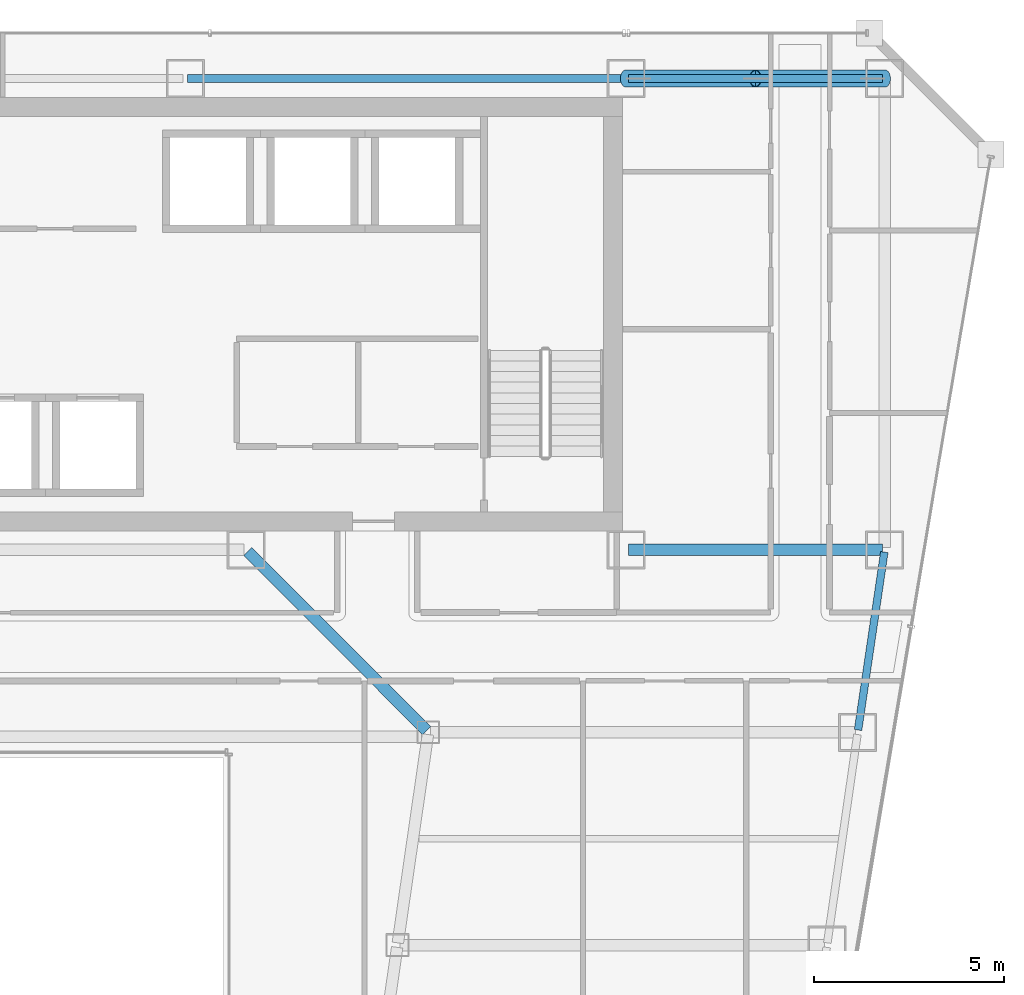
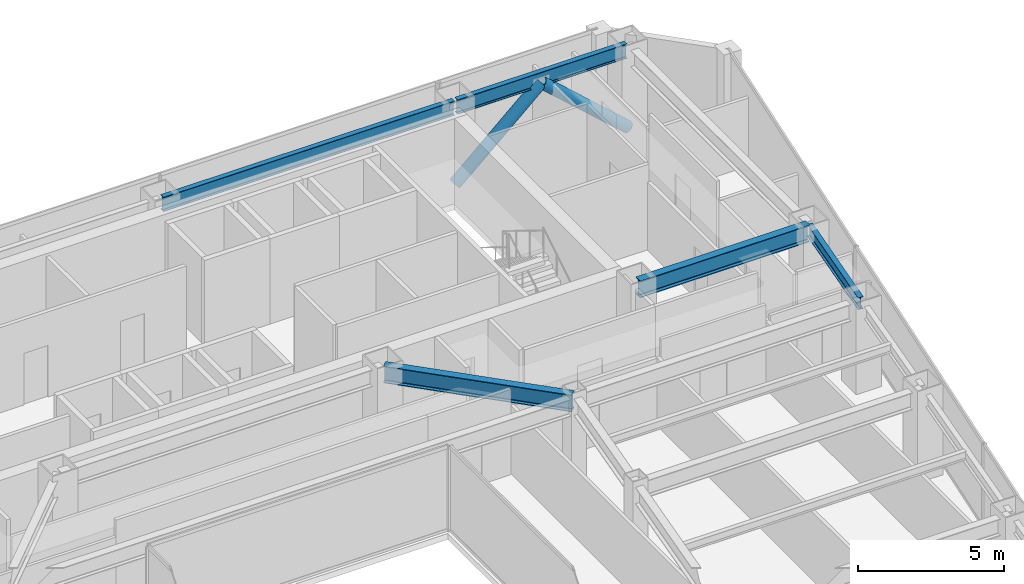
# One storey, part 18 of 31: 5 beams, 2 members.
"""IFC4 building model written with IfcOpenShell, lengths in metres."""

from ifc_helpers import new_model, si_unit, direction, frame, origin, origin_2d, place, context, subcontext, project, spatial, hollow_circle, i_section, extrude, material, material_profile, profile_set, type_object, element, save


model = new_model("IFC4")

# Units and contexts
model_context = context("Model", 3, precision=1e-05, world=origin(), true_north=direction((0.0, 1.0)))
body_context = subcontext(model_context, "Body", "Model", "MODEL_VIEW")
ifc_project = project(units=[si_unit("LENGTHUNIT", "METRE"), si_unit("AREAUNIT", "SQUARE_METRE"), si_unit("VOLUMEUNIT", "CUBIC_METRE"), si_unit("PLANEANGLEUNIT", "RADIAN"), si_unit("MASSUNIT", "GRAM", prefix="KILO")], contexts=[model_context])

# Site, building, storey
site_placement = place(None, origin())
site = spatial("IfcSite", under=ifc_project, at=site_placement, CompositionType="ELEMENT")
building_placement = place(site_placement, origin())
building = spatial("IfcBuilding", under=site, at=building_placement, Name="Saevonmaru Cultural Tower", CompositionType="ELEMENT")
storey_placement = place(building_placement, frame((0.0, 0.0, 167.60009765625)))
storey = spatial("IfcBuildingStorey", under=building, at=storey_placement, Name="L37", CompositionType="ELEMENT", Elevation=167.60009765625)

# Beams
ifc_material_1 = material(Name="Steel SM355", Category="steel")
ifc_material_profile_1 = material_profile(ifc_material_1, i_section(OverallWidth=0.300048828125, OverallDepth=0.699951171875, WebThickness=0.012939453125, FlangeThickness=0.02392578125, FilletRadius=0.02587890625, at=origin_2d()), Name="H-700x300x13x24")
ifc_profile_set_1 = profile_set([ifc_material_profile_1], Name="Steel SM355")
beam_type_1 = type_object("IfcBeamType", Name="BM-G-H700", PredefinedType="BEAM", material=ifc_profile_set_1)
beam_1_placement = place(storey_placement, frame((46.4599609375, 42.39990234375, 3.199951171875), z_axis=(1.0, 0.0, 0.0), x_axis=(0.0, 1.0, 0.0)))
element("IfcBeam", 1, at=beam_1_placement, inside=storey, type_object=beam_type_1, Name="L37 Core South Girder 5", PredefinedType="BEAM", context=body_context, shape_type="SweptSolid", body=[
    extrude(i_section(OverallWidth=0.300048828125, OverallDepth=0.699951171875, WebThickness=0.012939453125, FlangeThickness=0.02392578125, FilletRadius=0.02587890625, at=origin_2d()), origin(), (0.0, 0.0, 1.0), 6.679931640625),
])
beam_2_placement = place(storey_placement, frame((41.149658203125, 37.642578125, 3.199951171875), z_axis=(-0.706538566564, 0.707674539572, 0.0), x_axis=(-0.707674539572, -0.706538566564, 0.0)))
element("IfcBeam", 2, at=beam_2_placement, inside=storey, type_object=beam_type_1, Name="L37 East Atrium Girder 4", PredefinedType="BEAM", context=body_context, shape_type="SweptSolid", body=[
    extrude(i_section(OverallWidth=0.300048828125, OverallDepth=0.699951171875, WebThickness=0.012939453125, FlangeThickness=0.02392578125, FilletRadius=0.02587890625, at=origin_2d()), origin(), (0.0, 0.0, 1.0), 6.662353515625),
])
ifc_material_profile_2 = material_profile(ifc_material_1, i_section(OverallWidth=0.199951171875, OverallDepth=0.5, WebThickness=0.010009765625, FlangeThickness=0.01611328125, FilletRadius=0.02001953125, at=origin_2d()), Name="H-500x200x10x16")
ifc_profile_set_2 = profile_set([ifc_material_profile_2], Name="Steel SM355")
beam_type_2 = type_object("IfcBeamType", Name="BM-SP-H500", PredefinedType="SPANDREL", material=ifc_profile_set_2)
beam_3_placement = place(storey_placement, frame((52.500732421875, 37.659423828125, 3.2998046875), z_axis=(0.145912860028, 0.989297446312, 0.0), x_axis=(-0.989297446312, 0.145912860028, 0.0)))
element("IfcBeam", 3, at=beam_3_placement, inside=storey, type_object=beam_type_2, Name="L37 East Splayed Spandrel 4", PredefinedType="SPANDREL", context=body_context, shape_type="SweptSolid", body=[
    extrude(i_section(OverallWidth=0.199951171875, OverallDepth=0.5, WebThickness=0.010009765625, FlangeThickness=0.01611328125, FilletRadius=0.02001953125, at=origin_2d()), origin(), (0.0, 0.0, 1.0), 4.731689453125),
])
ifc_material_profile_3 = material_profile(ifc_material_1, i_section(OverallWidth=0.199951171875, OverallDepth=0.60009765625, WebThickness=0.010986328125, FlangeThickness=0.01708984375, FilletRadius=0.02197265625, at=origin_2d()), Name="H-600x200x11x17")
ifc_profile_set_3 = profile_set([ifc_material_profile_3], Name="Steel SM355")
beam_type_3 = type_object("IfcBeamType", Name="BM-SP-H600", PredefinedType="SPANDREL", material=ifc_profile_set_3)
beam_4_placement = place(storey_placement, frame((34.860107421875, 54.800048828125, 3.25), z_axis=(1.0, 0.0, 0.0), x_axis=(0.0, 1.0, 0.0)))
element("IfcBeam", 4, at=beam_4_placement, inside=storey, type_object=beam_type_3, Name="L37 North Spine Girder 4", PredefinedType="SPANDREL", context=body_context, shape_type="SweptSolid", body=[
    extrude(i_section(OverallWidth=0.199951171875, OverallDepth=0.60009765625, WebThickness=0.010986328125, FlangeThickness=0.01708984375, FilletRadius=0.02197265625, at=origin_2d()), origin(), (0.0, 0.0, 1.0), 11.47998046875),
])
beam_5_placement = place(storey_placement, frame((46.4599609375, 54.800048828125, 3.25), z_axis=(1.0, 0.0, 0.0), x_axis=(0.0, 1.0, 0.0)))
element("IfcBeam", 5, at=beam_5_placement, inside=storey, type_object=beam_type_3, Name="L37 North Spine Girder 5", PredefinedType="SPANDREL", context=body_context, shape_type="SweptSolid", body=[
    extrude(i_section(OverallWidth=0.199951171875, OverallDepth=0.60009765625, WebThickness=0.010986328125, FlangeThickness=0.01708984375, FilletRadius=0.02197265625, at=origin_2d()), origin(), (0.0, 0.0, 1.0), 6.679931640625),
])

# Members
ifc_material_2 = material(Name="Steel SM420", Category="steel")
ifc_material_profile_4 = material_profile(ifc_material_2, hollow_circle(Radius=0.228515625, WallThickness=0.02001953125, at=origin_2d()), Name="CHS-457.2x20")
ifc_profile_set_4 = profile_set([ifc_material_profile_4], Name="Steel SM420")
member_type = type_object("IfcMemberType", Name="MB-PBR-CHS457", PredefinedType="BRACE", material=ifc_profile_set_4)
member_1_placement = place(storey_placement, frame((46.39990234375, 54.800048828125, 0.02001953125), z_axis=(0.744417347397, 0.0, 0.66771461935), x_axis=(0.0, 1.0, 0.0)))
element("IfcMember", 6, at=member_1_placement, inside=storey, type_object=member_type, Name="L37 Perimeter Braced-Tube Diagonal EN1", PredefinedType="BRACE", context=body_context, shape_type="SweptSolid", body=[
    extrude(hollow_circle(Radius=0.228515625, WallThickness=0.02001953125, at=origin_2d()), origin(), (0.0, 0.0, 1.0), 4.567626953125),
])
member_2_placement = place(storey_placement, frame((53.199951171875, 54.800048828125, 0.02001953125), z_axis=(-0.744393515062, 0.0, 0.667741188436), x_axis=(0.0, -1.0, 0.0)))
element("IfcMember", 7, at=member_2_placement, inside=storey, type_object=member_type, Name="L37 Perimeter Braced-Tube Diagonal EN2", PredefinedType="BRACE", context=body_context, shape_type="SweptSolid", body=[
    extrude(hollow_circle(Radius=0.228515625, WallThickness=0.02001953125, at=origin_2d()), origin(), (0.0, 0.0, 1.0), 4.5673828125),
])

save(model, "model.ifc")
